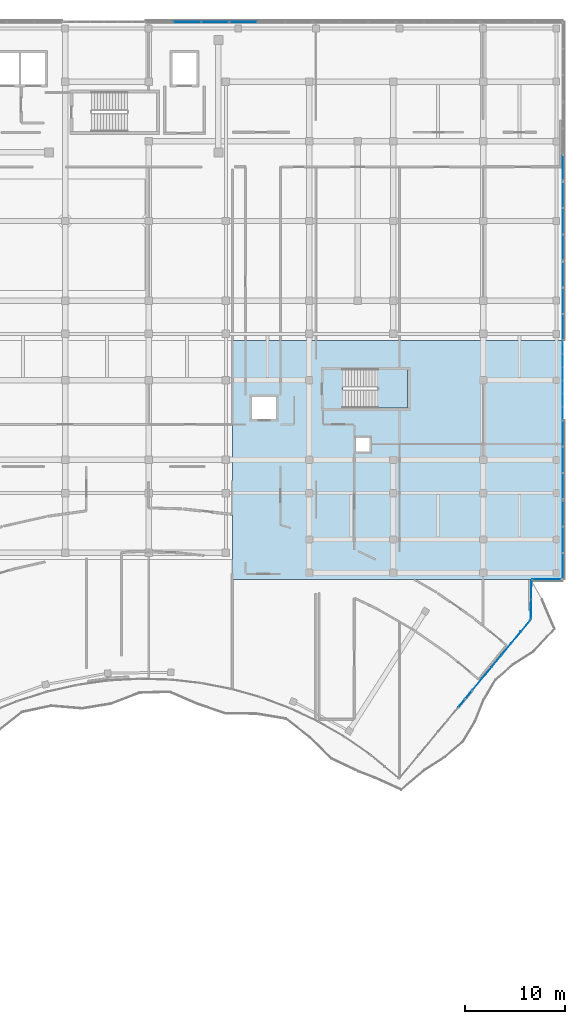
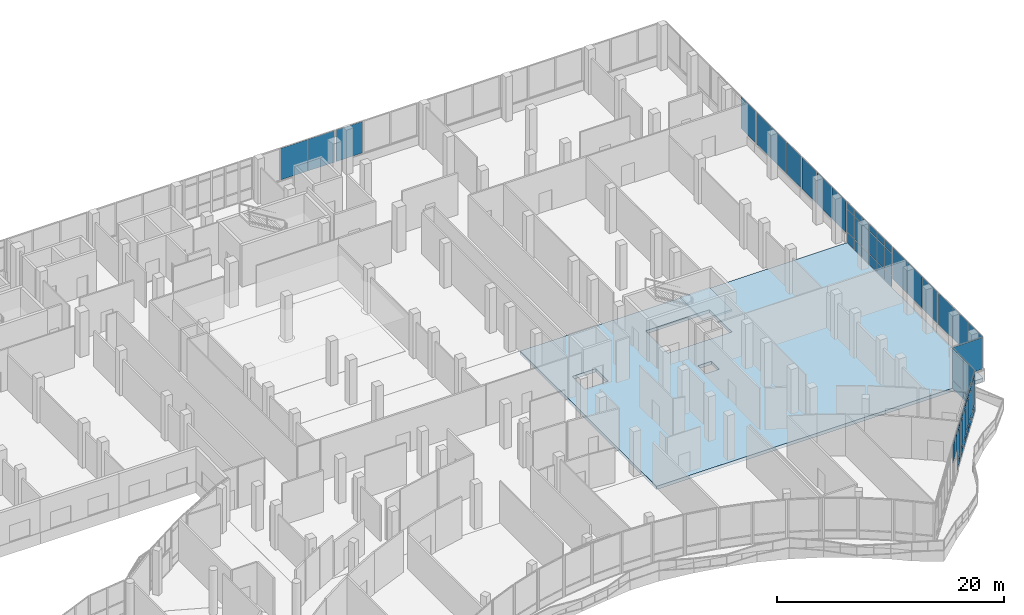
# One storey, part 127 of 155: 59 plates, 2 slabs, 13 elements without a shape of their own.
"""IFC4 building model written with IfcOpenShell, lengths in metres."""

from ifc_helpers import new_model, si_unit, direction, frame, origin, origin_2d, place, context, subcontext, project, spatial, polyline, rectangle, outline, extrude, material, layer, layer_set, type_object, element, aggregate, save


model = new_model("IFC4")

# Units and contexts
model_context = context("Model", 3, precision=1e-05, world=origin(), true_north=direction((0.0, 1.0)))
body_context = subcontext(model_context, "Body", "Model", "MODEL_VIEW")
ifc_project = project(units=[si_unit("LENGTHUNIT", "METRE"), si_unit("AREAUNIT", "SQUARE_METRE"), si_unit("VOLUMEUNIT", "CUBIC_METRE"), si_unit("PLANEANGLEUNIT", "RADIAN"), si_unit("MASSUNIT", "GRAM", prefix="KILO")], contexts=[model_context])

# Site, building, storey
site_placement = place(None, origin())
site = spatial("IfcSite", under=ifc_project, at=site_placement, CompositionType="ELEMENT")
building_placement = place(site_placement, origin())
building = spatial("IfcBuilding", under=site, at=building_placement, Name="Selatvlak General Hospital", CompositionType="ELEMENT")
storey_placement = place(building_placement, frame((0.0, 0.0, 10.199951171875)))
storey = spatial("IfcBuildingStorey", under=building, at=storey_placement, Name="L02", CompositionType="ELEMENT", Elevation=10.199951171875)

# Curtain wall, plates
ifc_material_1 = material(Name="Solar-control Low-E double glazing", Category="glass")
curtain_wall_type_1 = type_object("IfcCurtainWallType", Name="CW-CW-01", PredefinedType="USERDEFINED", material=ifc_material_1)
curtain_wall_1_placement = place(storey_placement, origin())
curtain_wall_1 = element("IfcCurtainWall", 1, at=curtain_wall_1_placement, inside=storey, type_object=curtain_wall_type_1, Name="Glazed facade curtain wall CW-L02-0258", ObjectType="UNITISED CURTAIN WALL", PredefinedType="USERDEFINED")
ifc_layer_1 = layer(ifc_material_1, 0.028076171875, Name="Solar-control Low-E double glazing", Category="glass")
ifc_layer_set_1 = layer_set([ifc_layer_1], Name="Solar-control Low-E double glazing")
plate_type = type_object("IfcPlateType", Name="CWP-01", PredefinedType="CURTAIN_PANEL", material=ifc_layer_set_1)
plate_1_placement = place(storey_placement, frame((144.2890625, 120.0, 1.0048828125), z_axis=(0.0, 0.0, 1.0), x_axis=(1.0, 0.0, 0.0)))
plate_1 = element("IfcPlate", 2, at=plate_1_placement, type_object=plate_type, Name="CW-01 panel 2.1", PredefinedType="CURTAIN_PANEL", context=body_context, shape_type="SweptSolid", body=[
    extrude(rectangle(XDim=2.71826171875, YDim=0.028076171875, at=origin_2d()), origin(), (0.0, 0.0, 1.0), 3.389892578125),
])
plate_2_placement = place(storey_placement, frame((147.05615234375, 120.0, 1.0048828125), z_axis=(0.0, 0.0, 1.0), x_axis=(1.0, 0.0, 0.0)))
plate_2 = element("IfcPlate", 3, at=plate_2_placement, type_object=plate_type, Name="CW-01 panel 3.1", PredefinedType="CURTAIN_PANEL", context=body_context, shape_type="SweptSolid", body=[
    extrude(rectangle(XDim=2.685791015625, YDim=0.028076171875, at=origin_2d()), origin(), (0.0, 0.0, 1.0), 3.389892578125),
])
aggregate(curtain_wall_1, [plate_1, plate_2])

# Curtain wall, plate
curtain_wall_type_2 = type_object("IfcCurtainWallType", Name="CW-CW-02", PredefinedType="USERDEFINED", material=ifc_material_1)
curtain_wall_2_placement = place(storey_placement, origin())
curtain_wall_2 = element("IfcCurtainWall", 4, at=curtain_wall_2_placement, inside=storey, type_object=curtain_wall_type_2, Name="Glazed facade curtain wall CW-L02-0259", ObjectType="UNITISED CURTAIN WALL", PredefinedType="USERDEFINED")
plate_3_placement = place(storey_placement, frame((149.943603515625, 120.0, 1.0048828125), z_axis=(0.0, 0.0, 1.0), x_axis=(1.0, 0.0, 0.0)))
plate_3 = element("IfcPlate", 5, at=plate_3_placement, type_object=plate_type, Name="CW-02 panel 1.1", PredefinedType="CURTAIN_PANEL", context=body_context, shape_type="SweptSolid", body=[
    extrude(rectangle(XDim=2.669189453125, YDim=0.028076171875, at=origin_2d()), origin(), (0.0, 0.0, 1.0), 3.389892578125),
])
aggregate(curtain_wall_2, [plate_3])

curtain_wall_3_placement = place(storey_placement, origin())
curtain_wall_3 = element("IfcCurtainWall", 6, at=curtain_wall_3_placement, inside=storey, type_object=curtain_wall_type_1, Name="Glazed facade curtain wall CW-L02-0264", ObjectType="UNITISED CURTAIN WALL", PredefinedType="USERDEFINED")
plate_4_placement = place(storey_placement, frame((181.999755859375, 105.35205078125, 1.0048828125), z_axis=(0.0, 0.0, 1.0), x_axis=(0.000126278568, -0.999999992027, 0.0)))
plate_4 = element("IfcPlate", 7, at=plate_4_placement, type_object=plate_type, Name="CW-01 panel 3.1", PredefinedType="CURTAIN_PANEL", context=body_context, shape_type="SweptSolid", body=[
    extrude(rectangle(XDim=2.542236328125, YDim=0.028076171875, at=origin_2d()), origin(), (0.0, 0.0, 1.0), 3.389892578125),
])
aggregate(curtain_wall_3, [plate_4])

# Curtain wall, plates
curtain_wall_4_placement = place(storey_placement, origin())
curtain_wall_4 = element("IfcCurtainWall", 8, at=curtain_wall_4_placement, inside=storey, type_object=curtain_wall_type_2, Name="Glazed facade curtain wall CW-L02-0265", ObjectType="UNITISED CURTAIN WALL", PredefinedType="USERDEFINED")
plate_5_placement = place(storey_placement, frame((182.0, 102.599853515625, 1.0048828125), z_axis=(0.0, 0.0, 1.0), x_axis=(0.0, -1.0, 0.0)))
plate_5 = element("IfcPlate", 9, at=plate_5_placement, type_object=plate_type, Name="CW-02 panel 1.1", PredefinedType="CURTAIN_PANEL", context=body_context, shape_type="SweptSolid", body=[
    extrude(rectangle(XDim=2.54248046875, YDim=0.028076171875, at=origin_2d()), origin(), (0.0, 0.0, 1.0), 3.389892578125),
])
plate_6_placement = place(storey_placement, frame((182.0, 99.97607421875, 1.0048828125), z_axis=(0.0, 0.0, 1.0), x_axis=(0.0, -1.0, 0.0)))
plate_6 = element("IfcPlate", 10, at=plate_6_placement, type_object=plate_type, Name="CW-02 panel 2.1", PredefinedType="CURTAIN_PANEL", context=body_context, shape_type="SweptSolid", body=[
    extrude(rectangle(XDim=2.574951171875, YDim=0.028076171875, at=origin_2d()), origin(), (0.0, 0.0, 1.0), 3.389892578125),
])
plate_7_placement = place(storey_placement, frame((182.0, 97.352294921875, 1.0048828125), z_axis=(0.0, 0.0, 1.0), x_axis=(0.0, -1.0, 0.0)))
plate_7 = element("IfcPlate", 11, at=plate_7_placement, type_object=plate_type, Name="CW-02 panel 3.1", PredefinedType="CURTAIN_PANEL", context=body_context, shape_type="SweptSolid", body=[
    extrude(rectangle(XDim=2.54248046875, YDim=0.028076171875, at=origin_2d()), origin(), (0.0, 0.0, 1.0), 3.389892578125),
])
aggregate(curtain_wall_4, [plate_5, plate_6, plate_7])

curtain_wall_5_placement = place(storey_placement, origin())
curtain_wall_5 = element("IfcCurtainWall", 12, at=curtain_wall_5_placement, inside=storey, type_object=curtain_wall_type_1, Name="Glazed facade curtain wall CW-L02-0266", ObjectType="UNITISED CURTAIN WALL", PredefinedType="USERDEFINED")
plate_8_placement = place(storey_placement, frame((182.0, 94.599853515625, 1.0048828125), z_axis=(0.0, 0.0, 1.0), x_axis=(0.0, -1.0, 0.0)))
plate_8 = element("IfcPlate", 13, at=plate_8_placement, type_object=plate_type, Name="CW-01 panel 1.1", PredefinedType="CURTAIN_PANEL", context=body_context, shape_type="SweptSolid", body=[
    extrude(rectangle(XDim=2.54248046875, YDim=0.028076171875, at=origin_2d()), origin(), (0.0, 0.0, 1.0), 3.389892578125),
])
plate_9_placement = place(storey_placement, frame((182.0, 91.97607421875, 1.0048828125), z_axis=(0.0, 0.0, 1.0), x_axis=(0.0, -1.0, 0.0)))
plate_9 = element("IfcPlate", 14, at=plate_9_placement, type_object=plate_type, Name="CW-01 panel 2.1", PredefinedType="CURTAIN_PANEL", context=body_context, shape_type="SweptSolid", body=[
    extrude(rectangle(XDim=2.574951171875, YDim=0.028076171875, at=origin_2d()), origin(), (0.0, 0.0, 1.0), 3.389892578125),
])
plate_10_placement = place(storey_placement, frame((182.0, 89.352294921875, 1.0048828125), z_axis=(0.0, 0.0, 1.0), x_axis=(0.0, -1.0, 0.0)))
plate_10 = element("IfcPlate", 15, at=plate_10_placement, type_object=plate_type, Name="CW-01 panel 3.1", PredefinedType="CURTAIN_PANEL", context=body_context, shape_type="SweptSolid", body=[
    extrude(rectangle(XDim=2.54248046875, YDim=0.028076171875, at=origin_2d()), origin(), (0.0, 0.0, 1.0), 3.389892578125),
])
aggregate(curtain_wall_5, [plate_8, plate_9, plate_10])

curtain_wall_type_3 = type_object("IfcCurtainWallType", Name="CW-CW-04", PredefinedType="USERDEFINED", material=ifc_material_1)
curtain_wall_6_placement = place(storey_placement, origin())
curtain_wall_6 = element("IfcCurtainWall", 16, at=curtain_wall_6_placement, inside=storey, type_object=curtain_wall_type_3, Name="Glazed facade curtain wall CW-L02-0267", ObjectType="STICK GLAZING WALL", PredefinedType="USERDEFINED")
plate_11_placement = place(storey_placement, frame((182.0, 87.3056640625, 0.06494140625), z_axis=(0.0, 0.0, 1.0), x_axis=(0.0, -1.0, 0.0)))
plate_11 = element("IfcPlate", 17, at=plate_11_placement, type_object=plate_type, Name="CW-04 panel 1.1", PredefinedType="CURTAIN_PANEL", context=body_context, shape_type="SweptSolid", body=[
    extrude(rectangle(XDim=1.230712890625, YDim=0.028076171875, at=origin_2d()), origin(), (0.0, 0.0, 1.0), 1.1025390625),
])
plate_12_placement = place(storey_placement, frame((182.0, 87.3056640625, 1.232421875), z_axis=(0.0, 0.0, 1.0), x_axis=(0.0, -1.0, 0.0)))
plate_12 = element("IfcPlate", 18, at=plate_12_placement, type_object=plate_type, Name="CW-04 panel 1.2", PredefinedType="CURTAIN_PANEL", context=body_context, shape_type="SweptSolid", body=[
    extrude(rectangle(XDim=1.230712890625, YDim=0.028076171875, at=origin_2d()), origin(), (0.0, 0.0, 1.0), 2.39501953125),
])
plate_13_placement = place(storey_placement, frame((182.0, 87.3056640625, 3.6923828125), z_axis=(0.0, 0.0, 1.0), x_axis=(0.0, -1.0, 0.0)))
plate_13 = element("IfcPlate", 19, at=plate_13_placement, type_object=plate_type, Name="CW-04 panel 1.3", PredefinedType="CURTAIN_PANEL", context=body_context, shape_type="SweptSolid", body=[
    extrude(rectangle(XDim=1.230712890625, YDim=0.028076171875, at=origin_2d()), origin(), (0.0, 0.0, 1.0), 0.702392578125),
])
plate_14_placement = place(storey_placement, frame((182.0, 85.993408203125, 0.06494140625), z_axis=(0.0, 0.0, 1.0), x_axis=(0.0, -1.0, 0.0)))
plate_14 = element("IfcPlate", 20, at=plate_14_placement, type_object=plate_type, Name="CW-04 panel 2.1", PredefinedType="CURTAIN_PANEL", context=body_context, shape_type="SweptSolid", body=[
    extrude(rectangle(XDim=1.263427734375, YDim=0.028076171875, at=origin_2d()), origin(), (0.0, 0.0, 1.0), 1.1025390625),
])
plate_15_placement = place(storey_placement, frame((182.0, 85.993408203125, 1.232421875), z_axis=(0.0, 0.0, 1.0), x_axis=(0.0, -1.0, 0.0)))
plate_15 = element("IfcPlate", 21, at=plate_15_placement, type_object=plate_type, Name="CW-04 panel 2.2", PredefinedType="CURTAIN_PANEL", context=body_context, shape_type="SweptSolid", body=[
    extrude(rectangle(XDim=1.263427734375, YDim=0.028076171875, at=origin_2d()), origin(), (0.0, 0.0, 1.0), 2.39501953125),
])
plate_16_placement = place(storey_placement, frame((182.0, 85.993408203125, 3.6923828125), z_axis=(0.0, 0.0, 1.0), x_axis=(0.0, -1.0, 0.0)))
plate_16 = element("IfcPlate", 22, at=plate_16_placement, type_object=plate_type, Name="CW-04 panel 2.3", PredefinedType="CURTAIN_PANEL", context=body_context, shape_type="SweptSolid", body=[
    extrude(rectangle(XDim=1.263427734375, YDim=0.028076171875, at=origin_2d()), origin(), (0.0, 0.0, 1.0), 0.702392578125),
])
plate_17_placement = place(storey_placement, frame((182.0, 84.665283203125, 0.06494140625), z_axis=(0.0, 0.0, 1.0), x_axis=(0.0, -1.0, 0.0)))
plate_17 = element("IfcPlate", 23, at=plate_17_placement, type_object=plate_type, Name="CW-04 panel 3.1", PredefinedType="CURTAIN_PANEL", context=body_context, shape_type="SweptSolid", body=[
    extrude(rectangle(XDim=1.263427734375, YDim=0.028076171875, at=origin_2d()), origin(), (0.0, 0.0, 1.0), 1.1025390625),
])
plate_18_placement = place(storey_placement, frame((182.0, 84.665283203125, 1.232421875), z_axis=(0.0, 0.0, 1.0), x_axis=(0.0, -1.0, 0.0)))
plate_18 = element("IfcPlate", 24, at=plate_18_placement, type_object=plate_type, Name="CW-04 panel 3.2", PredefinedType="CURTAIN_PANEL", context=body_context, shape_type="SweptSolid", body=[
    extrude(rectangle(XDim=1.263427734375, YDim=0.028076171875, at=origin_2d()), origin(), (0.0, 0.0, 1.0), 2.39501953125),
])
plate_19_placement = place(storey_placement, frame((182.0, 84.665283203125, 3.6923828125), z_axis=(0.0, 0.0, 1.0), x_axis=(0.0, -1.0, 0.0)))
plate_19 = element("IfcPlate", 25, at=plate_19_placement, type_object=plate_type, Name="CW-04 panel 3.3", PredefinedType="CURTAIN_PANEL", context=body_context, shape_type="SweptSolid", body=[
    extrude(rectangle(XDim=1.263427734375, YDim=0.028076171875, at=origin_2d()), origin(), (0.0, 0.0, 1.0), 0.702392578125),
])
plate_20_placement = place(storey_placement, frame((182.0, 83.3369140625, 0.06494140625), z_axis=(0.0, 0.0, 1.0), x_axis=(0.0, -1.0, 0.0)))
plate_20 = element("IfcPlate", 26, at=plate_20_placement, type_object=plate_type, Name="CW-04 panel 4.1", PredefinedType="CURTAIN_PANEL", context=body_context, shape_type="SweptSolid", body=[
    extrude(rectangle(XDim=1.263427734375, YDim=0.028076171875, at=origin_2d()), origin(), (0.0, 0.0, 1.0), 1.1025390625),
])
plate_21_placement = place(storey_placement, frame((182.0, 83.3369140625, 1.232421875), z_axis=(0.0, 0.0, 1.0), x_axis=(0.0, -1.0, 0.0)))
plate_21 = element("IfcPlate", 27, at=plate_21_placement, type_object=plate_type, Name="CW-04 panel 4.2", PredefinedType="CURTAIN_PANEL", context=body_context, shape_type="SweptSolid", body=[
    extrude(rectangle(XDim=1.263427734375, YDim=0.028076171875, at=origin_2d()), origin(), (0.0, 0.0, 1.0), 2.39501953125),
])
plate_22_placement = place(storey_placement, frame((182.0, 83.3369140625, 3.6923828125), z_axis=(0.0, 0.0, 1.0), x_axis=(0.0, -1.0, 0.0)))
plate_22 = element("IfcPlate", 28, at=plate_22_placement, type_object=plate_type, Name="CW-04 panel 4.3", PredefinedType="CURTAIN_PANEL", context=body_context, shape_type="SweptSolid", body=[
    extrude(rectangle(XDim=1.263427734375, YDim=0.028076171875, at=origin_2d()), origin(), (0.0, 0.0, 1.0), 0.702392578125),
])
plate_23_placement = place(storey_placement, frame((182.0, 82.008544921875, 0.06494140625), z_axis=(0.0, 0.0, 1.0), x_axis=(0.0, -1.0, 0.0)))
plate_23 = element("IfcPlate", 29, at=plate_23_placement, type_object=plate_type, Name="CW-04 panel 5.1", PredefinedType="CURTAIN_PANEL", context=body_context, shape_type="SweptSolid", body=[
    extrude(rectangle(XDim=1.263427734375, YDim=0.028076171875, at=origin_2d()), origin(), (0.0, 0.0, 1.0), 1.1025390625),
])
plate_24_placement = place(storey_placement, frame((182.0, 82.008544921875, 1.232421875), z_axis=(0.0, 0.0, 1.0), x_axis=(0.0, -1.0, 0.0)))
plate_24 = element("IfcPlate", 30, at=plate_24_placement, type_object=plate_type, Name="CW-04 panel 5.2", PredefinedType="CURTAIN_PANEL", context=body_context, shape_type="SweptSolid", body=[
    extrude(rectangle(XDim=1.263427734375, YDim=0.028076171875, at=origin_2d()), origin(), (0.0, 0.0, 1.0), 2.39501953125),
])
plate_25_placement = place(storey_placement, frame((182.0, 82.008544921875, 3.6923828125), z_axis=(0.0, 0.0, 1.0), x_axis=(0.0, -1.0, 0.0)))
plate_25 = element("IfcPlate", 31, at=plate_25_placement, type_object=plate_type, Name="CW-04 panel 5.3", PredefinedType="CURTAIN_PANEL", context=body_context, shape_type="SweptSolid", body=[
    extrude(rectangle(XDim=1.263427734375, YDim=0.028076171875, at=origin_2d()), origin(), (0.0, 0.0, 1.0), 0.702392578125),
])
plate_26_placement = place(storey_placement, frame((182.0, 80.696533203125, 0.06494140625), z_axis=(0.0, 0.0, 1.0), x_axis=(0.0, -1.0, 0.0)))
plate_26 = element("IfcPlate", 32, at=plate_26_placement, type_object=plate_type, Name="CW-04 panel 6.1", PredefinedType="CURTAIN_PANEL", context=body_context, shape_type="SweptSolid", body=[
    extrude(rectangle(XDim=1.230712890625, YDim=0.028076171875, at=origin_2d()), origin(), (0.0, 0.0, 1.0), 1.1025390625),
])
plate_27_placement = place(storey_placement, frame((182.0, 80.696533203125, 1.232421875), z_axis=(0.0, 0.0, 1.0), x_axis=(0.0, -1.0, 0.0)))
plate_27 = element("IfcPlate", 33, at=plate_27_placement, type_object=plate_type, Name="CW-04 panel 6.2", PredefinedType="CURTAIN_PANEL", context=body_context, shape_type="SweptSolid", body=[
    extrude(rectangle(XDim=1.230712890625, YDim=0.028076171875, at=origin_2d()), origin(), (0.0, 0.0, 1.0), 2.39501953125),
])
plate_28_placement = place(storey_placement, frame((182.0, 80.696533203125, 3.6923828125), z_axis=(0.0, 0.0, 1.0), x_axis=(0.0, -1.0, 0.0)))
plate_28 = element("IfcPlate", 34, at=plate_28_placement, type_object=plate_type, Name="CW-04 panel 6.3", PredefinedType="CURTAIN_PANEL", context=body_context, shape_type="SweptSolid", body=[
    extrude(rectangle(XDim=1.230712890625, YDim=0.028076171875, at=origin_2d()), origin(), (0.0, 0.0, 1.0), 0.702392578125),
])
aggregate(curtain_wall_6, [plate_11, plate_12, plate_13, plate_14, plate_15, plate_16, plate_17, plate_18, plate_19, plate_20, plate_21, plate_22, plate_23, plate_24, plate_25, plate_26, plate_27, plate_28])

curtain_wall_7_placement = place(storey_placement, origin())
curtain_wall_7 = element("IfcCurtainWall", 35, at=curtain_wall_7_placement, inside=storey, type_object=curtain_wall_type_1, Name="Glazed facade curtain wall CW-L02-0268", ObjectType="UNITISED CURTAIN WALL", PredefinedType="USERDEFINED")
plate_29_placement = place(storey_placement, frame((182.0, 78.641357421875, 1.0048828125), z_axis=(0.0, 0.0, 1.0), x_axis=(0.0, -1.0, 0.0)))
plate_29 = element("IfcPlate", 36, at=plate_29_placement, type_object=plate_type, Name="CW-01 panel 1.1", PredefinedType="CURTAIN_PANEL", context=body_context, shape_type="SweptSolid", body=[
    extrude(rectangle(XDim=2.55908203125, YDim=0.028076171875, at=origin_2d()), origin(), (0.0, 0.0, 1.0), 3.389892578125),
])
plate_30_placement = place(storey_placement, frame((182.0, 76.0009765625, 1.0048828125), z_axis=(0.0, 0.0, 1.0), x_axis=(0.0, -1.0, 0.0)))
plate_30 = element("IfcPlate", 37, at=plate_30_placement, type_object=plate_type, Name="CW-01 panel 2.1", PredefinedType="CURTAIN_PANEL", context=body_context, shape_type="SweptSolid", body=[
    extrude(rectangle(XDim=2.591552734375, YDim=0.028076171875, at=origin_2d()), origin(), (0.0, 0.0, 1.0), 3.389892578125),
])
plate_31_placement = place(storey_placement, frame((182.0, 73.360595703125, 1.0048828125), z_axis=(0.0, 0.0, 1.0), x_axis=(0.0, -1.0, 0.0)))
plate_31 = element("IfcPlate", 38, at=plate_31_placement, type_object=plate_type, Name="CW-01 panel 3.1", PredefinedType="CURTAIN_PANEL", context=body_context, shape_type="SweptSolid", body=[
    extrude(rectangle(XDim=2.55908203125, YDim=0.028076171875, at=origin_2d()), origin(), (0.0, 0.0, 1.0), 3.389892578125),
])
aggregate(curtain_wall_7, [plate_29, plate_30, plate_31])

curtain_wall_8_placement = place(storey_placement, origin())
curtain_wall_8 = element("IfcCurtainWall", 39, at=curtain_wall_8_placement, inside=storey, type_object=curtain_wall_type_2, Name="Glazed facade curtain wall CW-L02-0269", ObjectType="UNITISED CURTAIN WALL", PredefinedType="USERDEFINED")
plate_32_placement = place(storey_placement, frame((182.0, 70.599853515625, 1.0048828125), z_axis=(0.0, 0.0, 1.0), x_axis=(0.0, -1.0, 0.0)))
plate_32 = element("IfcPlate", 40, at=plate_32_placement, type_object=plate_type, Name="CW-02 panel 1.1", PredefinedType="CURTAIN_PANEL", context=body_context, shape_type="SweptSolid", body=[
    extrude(rectangle(XDim=2.54248046875, YDim=0.028076171875, at=origin_2d()), origin(), (0.0, 0.0, 1.0), 3.389892578125),
])
plate_33_placement = place(storey_placement, frame((182.0, 67.97607421875, 1.0048828125), z_axis=(0.0, 0.0, 1.0), x_axis=(0.0, -1.0, 0.0)))
plate_33 = element("IfcPlate", 41, at=plate_33_placement, type_object=plate_type, Name="CW-02 panel 2.1", PredefinedType="CURTAIN_PANEL", context=body_context, shape_type="SweptSolid", body=[
    extrude(rectangle(XDim=2.574951171875, YDim=0.028076171875, at=origin_2d()), origin(), (0.0, 0.0, 1.0), 3.389892578125),
])
plate_34_placement = place(storey_placement, frame((182.0, 65.352294921875, 1.0048828125), z_axis=(0.0, 0.0, 1.0), x_axis=(0.0, -1.0, 0.0)))
plate_34 = element("IfcPlate", 42, at=plate_34_placement, type_object=plate_type, Name="CW-02 panel 3.1", PredefinedType="CURTAIN_PANEL", context=body_context, shape_type="SweptSolid", body=[
    extrude(rectangle(XDim=2.54248046875, YDim=0.028076171875, at=origin_2d()), origin(), (0.0, 0.0, 1.0), 3.389892578125),
])
aggregate(curtain_wall_8, [plate_32, plate_33, plate_34])

# Curtain wall, plate
curtain_wall_9_placement = place(storey_placement, origin())
curtain_wall_9 = element("IfcCurtainWall", 43, at=curtain_wall_9_placement, inside=storey, type_object=curtain_wall_type_2, Name="Glazed facade curtain wall CW-L02-0270", ObjectType="UNITISED CURTAIN WALL", PredefinedType="USERDEFINED")
plate_35_placement = place(storey_placement, frame((180.405029296875, 64.00048828125, 1.0048828125), z_axis=(0.0, 0.0, 1.0), x_axis=(-0.999999946602, -0.000326797363, 0.0)))
plate_35 = element("IfcPlate", 44, at=plate_35_placement, type_object=plate_type, Name="CW-02 panel 1.1", PredefinedType="CURTAIN_PANEL", context=body_context, shape_type="SweptSolid", body=[
    extrude(rectangle(XDim=2.929931640625, YDim=0.028076171875, at=origin_2d()), origin(), (0.0, 0.0, 1.0), 3.389892578125),
])
aggregate(curtain_wall_9, [plate_35])

# Curtain wall, plates
curtain_wall_10_placement = place(storey_placement, origin())
curtain_wall_10 = element("IfcCurtainWall", 45, at=curtain_wall_10_placement, inside=storey, type_object=curtain_wall_type_1, Name="Glazed facade curtain wall CW-L02-0271", ObjectType="UNITISED CURTAIN WALL", PredefinedType="USERDEFINED")
plate_36_placement = place(storey_placement, frame((178.8447265625, 62.9638671875, 0.06494140625), z_axis=(0.0, 0.0, 1.0), x_axis=(-0.014923710969, -0.999888635224, 0.0)))
plate_36 = element("IfcPlate", 46, at=plate_36_placement, type_object=plate_type, Name="CW-01 panel 1.1", PredefinedType="CURTAIN_PANEL", context=body_context, shape_type="SweptSolid", body=[
    extrude(rectangle(XDim=1.912841796875, YDim=0.028076171875, at=origin_2d()), origin(), (0.0, 0.0, 1.0), 0.8525390625),
])
plate_37_placement = place(storey_placement, frame((178.8447265625, 62.9638671875, 0.982421875), z_axis=(0.0, 0.0, 1.0), x_axis=(-0.014923710969, -0.999888635224, 0.0)))
plate_37 = element("IfcPlate", 47, at=plate_37_placement, type_object=plate_type, Name="CW-01 panel 1.2", PredefinedType="CURTAIN_PANEL", context=body_context, shape_type="SweptSolid", body=[
    extrude(rectangle(XDim=1.912841796875, YDim=0.028076171875, at=origin_2d()), origin(), (0.0, 0.0, 1.0), 3.41259765625),
])
plate_38_placement = place(storey_placement, frame((178.815185546875, 60.986328125, 0.06494140625), z_axis=(0.0, 0.0, 1.0), x_axis=(-0.014923710969, -0.999888635224, 0.0)))
plate_38 = element("IfcPlate", 48, at=plate_38_placement, type_object=plate_type, Name="CW-01 panel 2.1", PredefinedType="CURTAIN_PANEL", context=body_context, shape_type="SweptSolid", body=[
    extrude(rectangle(XDim=1.912841796875, YDim=0.028076171875, at=origin_2d()), origin(), (0.0, 0.0, 1.0), 0.8525390625),
])
plate_39_placement = place(storey_placement, frame((178.815185546875, 60.986328125, 0.982421875), z_axis=(0.0, 0.0, 1.0), x_axis=(-0.014923710969, -0.999888635224, 0.0)))
plate_39 = element("IfcPlate", 49, at=plate_39_placement, type_object=plate_type, Name="CW-01 panel 2.2", PredefinedType="CURTAIN_PANEL", context=body_context, shape_type="SweptSolid", body=[
    extrude(rectangle(XDim=1.912841796875, YDim=0.028076171875, at=origin_2d()), origin(), (0.0, 0.0, 1.0), 3.41259765625),
])
aggregate(curtain_wall_10, [plate_36, plate_37, plate_38, plate_39])

curtain_wall_11_placement = place(storey_placement, origin())
curtain_wall_11 = element("IfcCurtainWall", 50, at=curtain_wall_11_placement, inside=storey, type_object=curtain_wall_type_2, Name="Glazed facade curtain wall CW-L02-0272", ObjectType="UNITISED CURTAIN WALL", PredefinedType="USERDEFINED")
plate_40_placement = place(storey_placement, frame((172.532958984375, 52.380615234375, 2.38525390625), z_axis=(0.0, 0.0, 1.0), x_axis=(-0.6378834291, -0.770132930655, 0.0)))
plate_40 = element("IfcPlate", 51, at=plate_40_placement, type_object=plate_type, Name="CW-02 panel 1.1", PredefinedType="CURTAIN_PANEL", context=body_context, shape_type="SweptSolid", body=[
    extrude(rectangle(XDim=1.03662109375, YDim=0.028076171875, at=origin_2d()), origin(), (0.0, 0.0, 1.0), 2.010009765625),
])
plate_41_placement = place(storey_placement, frame((171.830078125, 51.5322265625, 2.38525390625), z_axis=(0.0, 0.0, 1.0), x_axis=(-0.6378834291, -0.770132930655, 0.0)))
plate_41 = element("IfcPlate", 52, at=plate_41_placement, type_object=plate_type, Name="CW-02 panel 2.1", PredefinedType="CURTAIN_PANEL", context=body_context, shape_type="SweptSolid", body=[
    extrude(rectangle(XDim=1.03662109375, YDim=0.028076171875, at=origin_2d()), origin(), (0.0, 0.0, 1.0), 2.010009765625),
])
aggregate(curtain_wall_11, [plate_40, plate_41])

curtain_wall_12_placement = place(storey_placement, origin())
curtain_wall_12 = element("IfcCurtainWall", 53, at=curtain_wall_12_placement, inside=storey, type_object=curtain_wall_type_1, Name="Glazed facade curtain wall CW-L02-0273", ObjectType="UNITISED CURTAIN WALL", PredefinedType="USERDEFINED")
plate_42_placement = place(storey_placement, frame((178.261474609375, 59.29931640625, 0.06494140625), z_axis=(0.0, 0.0, 1.0), x_axis=(-0.637739992245, -0.770251713592, 0.0)))
plate_42 = element("IfcPlate", 54, at=plate_42_placement, type_object=plate_type, Name="CW-01 panel 1.1", PredefinedType="CURTAIN_PANEL", context=body_context, shape_type="SweptSolid", body=[
    extrude(rectangle(XDim=1.427001953125, YDim=0.028076171875, at=origin_2d()), origin(), (0.0, 0.0, 1.0), 0.802490234375),
])
plate_43_placement = place(storey_placement, frame((178.261474609375, 59.29931640625, 0.9326171875), z_axis=(0.0, 0.0, 1.0), x_axis=(-0.637739992245, -0.770251713592, 0.0)))
plate_43 = element("IfcPlate", 55, at=plate_43_placement, type_object=plate_type, Name="CW-01 panel 1.2", PredefinedType="CURTAIN_PANEL", context=body_context, shape_type="SweptSolid", body=[
    extrude(rectangle(XDim=1.427001953125, YDim=0.028076171875, at=origin_2d()), origin(), (0.0, 0.0, 1.0), 2.844970703125),
])
plate_44_placement = place(storey_placement, frame((178.261474609375, 59.29931640625, 3.8427734375), z_axis=(0.0, 0.0, 1.0), x_axis=(-0.637739992245, -0.770251713592, 0.0)))
plate_44 = element("IfcPlate", 56, at=plate_44_placement, type_object=plate_type, Name="CW-01 panel 1.3", PredefinedType="CURTAIN_PANEL", context=body_context, shape_type="SweptSolid", body=[
    extrude(rectangle(XDim=1.427001953125, YDim=0.028076171875, at=origin_2d()), origin(), (0.0, 0.0, 1.0), 0.552490234375),
])
plate_45_placement = place(storey_placement, frame((177.2998046875, 58.1376953125, 0.06494140625), z_axis=(0.0, 0.0, 1.0), x_axis=(-0.637739992245, -0.770251713592, 0.0)))
plate_45 = element("IfcPlate", 57, at=plate_45_placement, type_object=plate_type, Name="CW-01 panel 2.1", PredefinedType="CURTAIN_PANEL", context=body_context, shape_type="SweptSolid", body=[
    extrude(rectangle(XDim=1.45947265625, YDim=0.028076171875, at=origin_2d()), origin(), (0.0, 0.0, 1.0), 0.802490234375),
])
plate_46_placement = place(storey_placement, frame((177.2998046875, 58.1376953125, 0.9326171875), z_axis=(0.0, 0.0, 1.0), x_axis=(-0.637739992245, -0.770251713592, 0.0)))
plate_46 = element("IfcPlate", 58, at=plate_46_placement, type_object=plate_type, Name="CW-01 panel 2.2", PredefinedType="CURTAIN_PANEL", context=body_context, shape_type="SweptSolid", body=[
    extrude(rectangle(XDim=1.45947265625, YDim=0.028076171875, at=origin_2d()), origin(), (0.0, 0.0, 1.0), 2.844970703125),
])
plate_47_placement = place(storey_placement, frame((177.2998046875, 58.1376953125, 3.8427734375), z_axis=(0.0, 0.0, 1.0), x_axis=(-0.637739992245, -0.770251713592, 0.0)))
plate_47 = element("IfcPlate", 59, at=plate_47_placement, type_object=plate_type, Name="CW-01 panel 2.3", PredefinedType="CURTAIN_PANEL", context=body_context, shape_type="SweptSolid", body=[
    extrude(rectangle(XDim=1.45947265625, YDim=0.028076171875, at=origin_2d()), origin(), (0.0, 0.0, 1.0), 0.552490234375),
])
plate_48_placement = place(storey_placement, frame((176.32763671875, 56.963623046875, 0.06494140625), z_axis=(0.0, 0.0, 1.0), x_axis=(-0.637739992245, -0.770251713592, 0.0)))
plate_48 = element("IfcPlate", 60, at=plate_48_placement, type_object=plate_type, Name="CW-01 panel 3.1", PredefinedType="CURTAIN_PANEL", context=body_context, shape_type="SweptSolid", body=[
    extrude(rectangle(XDim=1.45947265625, YDim=0.028076171875, at=origin_2d()), origin(), (0.0, 0.0, 1.0), 0.802490234375),
])
plate_49_placement = place(storey_placement, frame((176.32763671875, 56.963623046875, 0.9326171875), z_axis=(0.0, 0.0, 1.0), x_axis=(-0.637739992245, -0.770251713592, 0.0)))
plate_49 = element("IfcPlate", 61, at=plate_49_placement, type_object=plate_type, Name="CW-01 panel 3.2", PredefinedType="CURTAIN_PANEL", context=body_context, shape_type="SweptSolid", body=[
    extrude(rectangle(XDim=1.45947265625, YDim=0.028076171875, at=origin_2d()), origin(), (0.0, 0.0, 1.0), 2.844970703125),
])
plate_50_placement = place(storey_placement, frame((176.32763671875, 56.963623046875, 3.8427734375), z_axis=(0.0, 0.0, 1.0), x_axis=(-0.637739992245, -0.770251713592, 0.0)))
plate_50 = element("IfcPlate", 62, at=plate_50_placement, type_object=plate_type, Name="CW-01 panel 3.3", PredefinedType="CURTAIN_PANEL", context=body_context, shape_type="SweptSolid", body=[
    extrude(rectangle(XDim=1.45947265625, YDim=0.028076171875, at=origin_2d()), origin(), (0.0, 0.0, 1.0), 0.552490234375),
])
plate_51_placement = place(storey_placement, frame((175.35546875, 55.789306640625, 0.06494140625), z_axis=(0.0, 0.0, 1.0), x_axis=(-0.637739992245, -0.770251713592, 0.0)))
plate_51 = element("IfcPlate", 63, at=plate_51_placement, type_object=plate_type, Name="CW-01 panel 4.1", PredefinedType="CURTAIN_PANEL", context=body_context, shape_type="SweptSolid", body=[
    extrude(rectangle(XDim=1.45947265625, YDim=0.028076171875, at=origin_2d()), origin(), (0.0, 0.0, 1.0), 0.802490234375),
])
plate_52_placement = place(storey_placement, frame((175.35546875, 55.789306640625, 0.9326171875), z_axis=(0.0, 0.0, 1.0), x_axis=(-0.637739992245, -0.770251713592, 0.0)))
plate_52 = element("IfcPlate", 64, at=plate_52_placement, type_object=plate_type, Name="CW-01 panel 4.2", PredefinedType="CURTAIN_PANEL", context=body_context, shape_type="SweptSolid", body=[
    extrude(rectangle(XDim=1.45947265625, YDim=0.028076171875, at=origin_2d()), origin(), (0.0, 0.0, 1.0), 2.844970703125),
])
plate_53_placement = place(storey_placement, frame((175.35546875, 55.789306640625, 3.8427734375), z_axis=(0.0, 0.0, 1.0), x_axis=(-0.637739992245, -0.770251713592, 0.0)))
plate_53 = element("IfcPlate", 65, at=plate_53_placement, type_object=plate_type, Name="CW-01 panel 4.3", PredefinedType="CURTAIN_PANEL", context=body_context, shape_type="SweptSolid", body=[
    extrude(rectangle(XDim=1.45947265625, YDim=0.028076171875, at=origin_2d()), origin(), (0.0, 0.0, 1.0), 0.552490234375),
])
plate_54_placement = place(storey_placement, frame((174.38330078125, 54.615234375, 0.06494140625), z_axis=(0.0, 0.0, 1.0), x_axis=(-0.637739992245, -0.770251713592, 0.0)))
plate_54 = element("IfcPlate", 66, at=plate_54_placement, type_object=plate_type, Name="CW-01 panel 5.1", PredefinedType="CURTAIN_PANEL", context=body_context, shape_type="SweptSolid", body=[
    extrude(rectangle(XDim=1.45947265625, YDim=0.028076171875, at=origin_2d()), origin(), (0.0, 0.0, 1.0), 0.802490234375),
])
plate_55_placement = place(storey_placement, frame((174.38330078125, 54.615234375, 0.9326171875), z_axis=(0.0, 0.0, 1.0), x_axis=(-0.637739992245, -0.770251713592, 0.0)))
plate_55 = element("IfcPlate", 67, at=plate_55_placement, type_object=plate_type, Name="CW-01 panel 5.2", PredefinedType="CURTAIN_PANEL", context=body_context, shape_type="SweptSolid", body=[
    extrude(rectangle(XDim=1.45947265625, YDim=0.028076171875, at=origin_2d()), origin(), (0.0, 0.0, 1.0), 2.844970703125),
])
plate_56_placement = place(storey_placement, frame((174.38330078125, 54.615234375, 3.8427734375), z_axis=(0.0, 0.0, 1.0), x_axis=(-0.637739992245, -0.770251713592, 0.0)))
plate_56 = element("IfcPlate", 68, at=plate_56_placement, type_object=plate_type, Name="CW-01 panel 5.3", PredefinedType="CURTAIN_PANEL", context=body_context, shape_type="SweptSolid", body=[
    extrude(rectangle(XDim=1.45947265625, YDim=0.028076171875, at=origin_2d()), origin(), (0.0, 0.0, 1.0), 0.552490234375),
])
plate_57_placement = place(storey_placement, frame((173.42138671875, 53.45361328125, 0.06494140625), z_axis=(0.0, 0.0, 1.0), x_axis=(-0.637739992245, -0.770251713592, 0.0)))
plate_57 = element("IfcPlate", 69, at=plate_57_placement, type_object=plate_type, Name="CW-01 panel 6.1", PredefinedType="CURTAIN_PANEL", context=body_context, shape_type="SweptSolid", body=[
    extrude(rectangle(XDim=1.427001953125, YDim=0.028076171875, at=origin_2d()), origin(), (0.0, 0.0, 1.0), 0.802490234375),
])
plate_58_placement = place(storey_placement, frame((173.42138671875, 53.45361328125, 0.9326171875), z_axis=(0.0, 0.0, 1.0), x_axis=(-0.637739992245, -0.770251713592, 0.0)))
plate_58 = element("IfcPlate", 70, at=plate_58_placement, type_object=plate_type, Name="CW-01 panel 6.2", PredefinedType="CURTAIN_PANEL", context=body_context, shape_type="SweptSolid", body=[
    extrude(rectangle(XDim=1.427001953125, YDim=0.028076171875, at=origin_2d()), origin(), (0.0, 0.0, 1.0), 2.844970703125),
])
plate_59_placement = place(storey_placement, frame((173.42138671875, 53.45361328125, 3.8427734375), z_axis=(0.0, 0.0, 1.0), x_axis=(-0.637739992245, -0.770251713592, 0.0)))
plate_59 = element("IfcPlate", 71, at=plate_59_placement, type_object=plate_type, Name="CW-01 panel 6.3", PredefinedType="CURTAIN_PANEL", context=body_context, shape_type="SweptSolid", body=[
    extrude(rectangle(XDim=1.427001953125, YDim=0.028076171875, at=origin_2d()), origin(), (0.0, 0.0, 1.0), 0.552490234375),
])
aggregate(curtain_wall_12, [plate_42, plate_43, plate_44, plate_45, plate_46, plate_47, plate_48, plate_49, plate_50, plate_51, plate_52, plate_53, plate_54, plate_55, plate_56, plate_57, plate_58, plate_59])

# Stair, slab
ifc_material_2 = material(Name="Precast concrete C40/50", Category="concrete")
stair_type = type_object("IfcStairType", Name="STAIR-ST-06", PredefinedType="HALF_TURN_STAIR", material=ifc_material_2)
stair_placement = place(storey_placement, origin())
stair = element("IfcStair", 72, at=stair_placement, inside=storey, type_object=stair_type, Name="L02 Protected exit stair ST-06", PredefinedType="HALF_TURN_STAIR")
ifc_material_3 = material(Name="Concrete C40/50", Category="concrete")
ifc_layer_2 = layer(ifc_material_3, 0.199951171875, Name="Concrete C40/50", Category="concrete")
ifc_layer_set_2 = layer_set([ifc_layer_2], Name="Concrete C40/50")
slab_type_1 = type_object("IfcSlabType", Name="SLAB-LND1", PredefinedType="LANDING", material=ifc_layer_set_2)
slab_1_placement = place(storey_placement, frame((0.0, 0.0, 2.199951171875)))
slab_1 = element("IfcSlab", 73, at=slab_1_placement, type_object=slab_type_1, Name="ST-06 landing 1", PredefinedType="LANDING", context=body_context, shape_type="SweptSolid", body=[
    extrude(outline(polyline([(163.4150390625, 81.199951171875), (166.39990234375, 81.199951171875), (166.39990234375, 85.139892578125), (163.4150390625, 85.139892578125), (163.4150390625, 81.199951171875)])), origin(), (0.0, 0.0, 1.0), 0.2001953125),
])
aggregate(stair, [slab_1])

# Slab
ifc_layer_3 = layer(ifc_material_3, 0.35498046875, Name="Concrete C40/50", Category="concrete")
ifc_layer_set_3 = layer_set([ifc_layer_3], Name="Concrete C40/50")
slab_type_2 = type_object("IfcSlabType", Name="SLAB-SL-FL2", PredefinedType="FLOOR", material=ifc_layer_set_3)
slab_2_placement = place(storey_placement, frame((0.0, 0.0, -0.35498046875)))
element("IfcSlab", 74, at=slab_2_placement, inside=storey, type_object=slab_type_2, Name="L02 V5E structural slab", PredefinedType="FLOOR", context=body_context, shape_type="SweptSolid", body=[
    extrude(outline(polyline([(148.80810546875, 87.991943359375), (182.0, 87.991943359375), (182.0, 64.0), (148.800048828125, 64.0), (148.80810546875, 87.991943359375)]), holes=[polyline([(159.905029296875, 85.139892578125), (159.905029296875, 81.199951171875), (166.39990234375, 81.199951171875), (166.39990234375, 85.139892578125), (159.905029296875, 85.139892578125)]), polyline([(150.800048828125, 82.300048828125), (150.800048828125, 80.10009765625), (153.199951171875, 80.10009765625), (153.199951171875, 82.300048828125), (150.800048828125, 82.300048828125)]), polyline([(162.60009765625, 78.199951171875), (161.199951171875, 78.199951171875), (161.199951171875, 76.800048828125), (162.60009765625, 76.800048828125), (162.60009765625, 78.199951171875)])]), origin(), (0.0, 0.0, 1.0), 0.35498046875),
])

save(model, "model.ifc")
